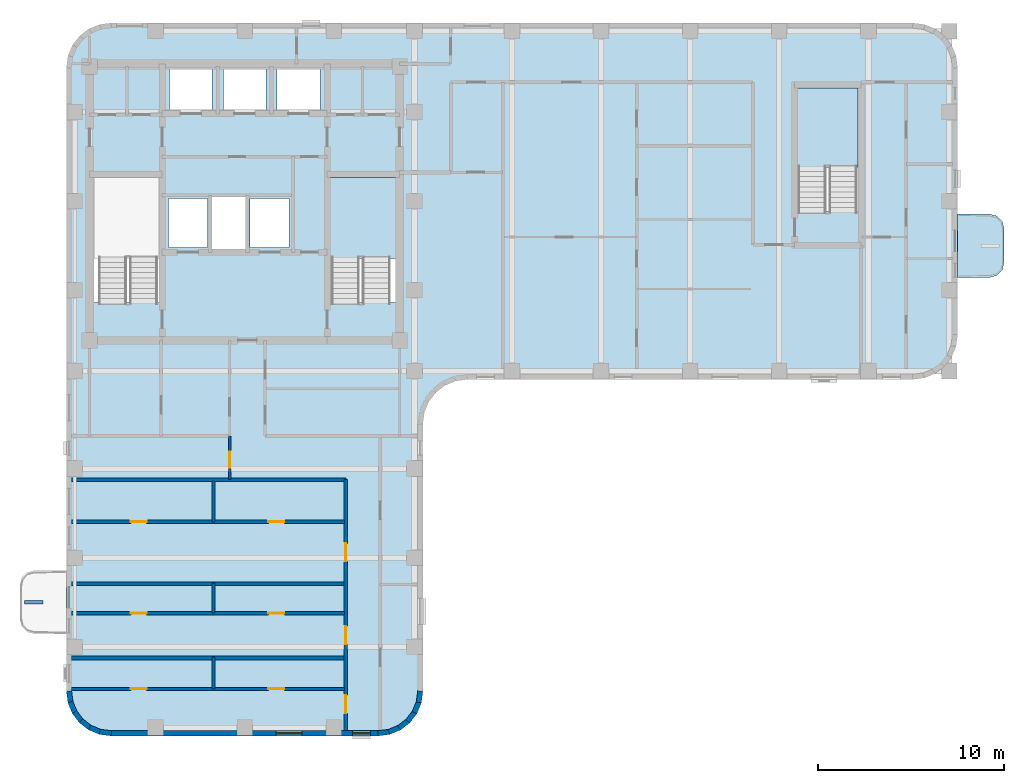
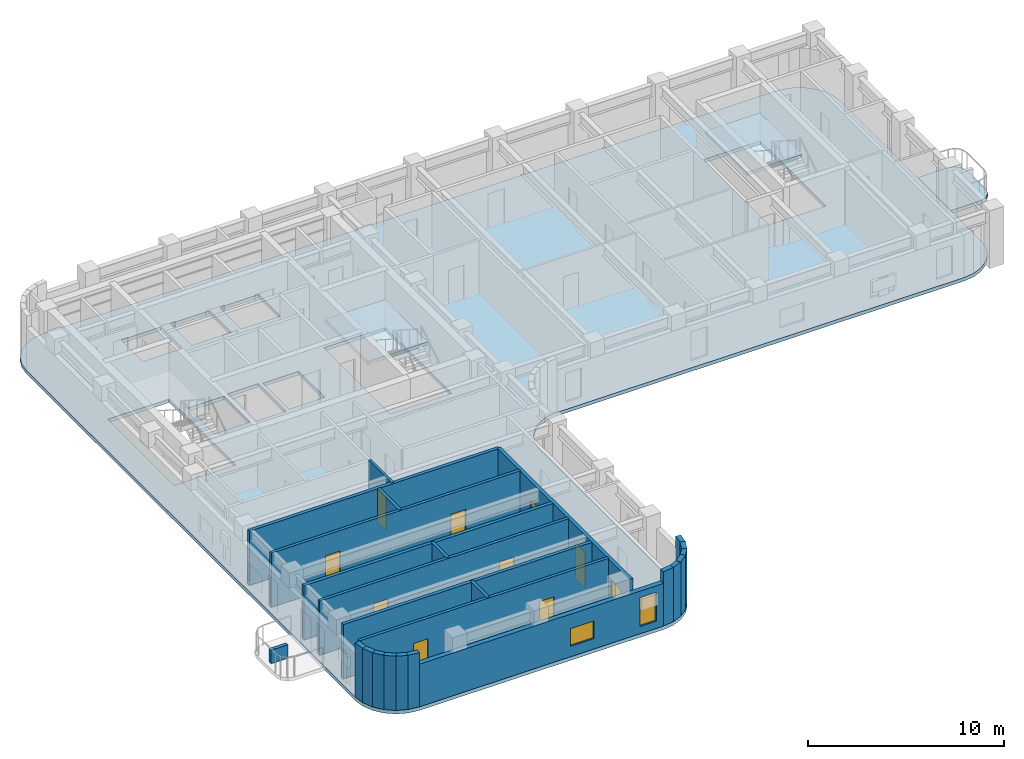
# One storey, part 2 of 10: 25 walls, 10 doors, 4 slabs, 2 windows, 12 openings, 2 elements without a shape of their own.
"""IFC4 building model written with IfcOpenShell, lengths in metres."""

from ifc_helpers import new_model, si_unit, direction, frame, frame_2d, origin, place, context, subcontext, project, spatial, polyline, rectangle, outline, extrude, material, layer, layer_set, type_object, element, fill, aggregate, save


model = new_model("IFC4")

# Units and contexts
model_context = context("Model", 3, precision=1e-05, world=origin(), true_north=direction((0.0, 1.0)))
body_context = subcontext(model_context, "Body", "Model", "MODEL_VIEW")
ifc_project = project(units=[si_unit("LENGTHUNIT", "METRE"), si_unit("AREAUNIT", "SQUARE_METRE"), si_unit("VOLUMEUNIT", "CUBIC_METRE"), si_unit("PLANEANGLEUNIT", "RADIAN"), si_unit("MASSUNIT", "GRAM", prefix="KILO")], contexts=[model_context])

# Site, building, storey
site_placement = place(None, origin())
site = spatial("IfcSite", under=ifc_project, at=site_placement, CompositionType="ELEMENT")
building_placement = place(site_placement, origin())
building = spatial("IfcBuilding", under=site, at=building_placement, Name="Orvandelia Arch Residences", CompositionType="ELEMENT")
storey_placement = place(building_placement, frame((0.0, 0.0, 232.60009765625)))
storey = spatial("IfcBuildingStorey", under=building, at=storey_placement, Name="L61", CompositionType="ELEMENT", Elevation=232.60009765625)

# Slab
ifc_material_1 = material(Name="Precast concrete C40/50", Category="concrete")
ifc_layer_1 = layer(ifc_material_1, 0.219970703125, Name="Precast concrete C40/50", Category="concrete")
ifc_layer_set_1 = layer_set([ifc_layer_1], Name="Precast concrete C40/50")
slab_type_1 = type_object("IfcSlabType", Name="SLB-BAL-220", PredefinedType="USERDEFINED", material=ifc_layer_set_1)
slab_1_placement = place(storey_placement, frame((0.0, 0.0, -0.22021484375)))
element("IfcSlab", 1, at=slab_1_placement, inside=storey, type_object=slab_type_1, Name="Tree Balcony Cantilever Slab BAL-L61-E1", ObjectType="BALCONY", PredefinedType="USERDEFINED", context=body_context, shape_type="SweptSolid", body=[
    extrude(outline(polyline([(52.800048828125, 37.699951171875), (52.800048828125, 34.300048828125), (54.550048828125, 34.300048828125), (54.925048828125, 34.400390625), (55.199462890625, 34.675048828125), (55.300048828125, 35.050048828125), (55.300048828125, 36.949951171875), (55.199462890625, 37.324951171875), (54.925048828125, 37.599609375), (54.550048828125, 37.699951171875), (52.800048828125, 37.699951171875)])), origin(), (0.0, 0.0, 1.0), 0.22021484375),
])

# Stair, slab
ifc_material_2 = material(Name="Concrete C40/50", Category="concrete")
stair_type = type_object("IfcStairType", Name="STAIR-RC-DOGLEG", PredefinedType="HALF_TURN_STAIR", material=ifc_material_2)
stair_1_placement = place(storey_placement, origin())
stair_1 = element("IfcStair", 2, at=stair_1_placement, inside=storey, type_object=stair_type, Name="L61 Protected Exit Stair ST-2", PredefinedType="HALF_TURN_STAIR")
ifc_layer_2 = layer(ifc_material_2, 0.219970703125, Name="Concrete C40/50", Category="concrete")
ifc_layer_set_2 = layer_set([ifc_layer_2], Name="Concrete C40/50")
slab_type_2 = type_object("IfcSlabType", Name="SLB-LANDING-220", PredefinedType="LANDING", material=ifc_layer_set_2)
slab_2_placement = place(storey_placement, frame((0.0, 0.0, 1.599853515625)))
slab_2 = element("IfcSlab", 3, at=slab_2_placement, type_object=slab_type_2, Name="ST-2 landing 1", PredefinedType="LANDING", context=body_context, shape_type="SweptSolid", body=[
    extrude(outline(polyline([(22.5400390625, 35.31005859375), (22.5400390625, 39.68994140625), (19.0, 39.68994140625), (19.0, 35.31005859375), (22.5400390625, 35.31005859375)])), origin(), (0.0, 0.0, 1.0), 0.199951171875),
])
aggregate(stair_1, [slab_2])

stair_2_placement = place(storey_placement, origin())
stair_2 = element("IfcStair", 4, at=stair_2_placement, inside=storey, type_object=stair_type, Name="L61 East Wing Exit Stair ST-3", PredefinedType="HALF_TURN_STAIR")
slab_3_placement = place(storey_placement, frame((0.0, 0.0, 1.599853515625)))
slab_3 = element("IfcSlab", 5, at=slab_3_placement, type_object=slab_type_2, Name="ST-3 landing 1", PredefinedType="LANDING", context=body_context, shape_type="SweptSolid", body=[
    extrude(outline(polyline([(47.43994140625, 40.2099609375), (47.43994140625, 44.5), (44.179931640625, 44.5), (44.179931640625, 40.2099609375), (47.43994140625, 40.2099609375)])), origin(), (0.0, 0.0, 1.0), 0.199951171875),
])
aggregate(stair_2, [slab_3])

# Slab
ifc_layer_3 = layer(ifc_material_2, 0.219970703125, Name="Concrete C40/50", Category="concrete")
ifc_layer_set_3 = layer_set([ifc_layer_3], Name="Concrete C40/50")
slab_type_3 = type_object("IfcSlabType", Name="SLB-TWR-220", PredefinedType="FLOOR", material=ifc_layer_set_3)
slab_4_placement = place(storey_placement, frame((0.0, 0.0, -0.22021484375)))
element("IfcSlab", 6, at=slab_4_placement, inside=storey, type_object=slab_type_3, Name="Structural Floor Slab L61-1", PredefinedType="FLOOR", context=body_context, shape_type="SweptSolid", body=[
    extrude(outline(polyline([(4.800048828125, 12.0), (4.8818359375, 11.37890625), (5.12158203125, 10.800048828125), (5.5029296875, 10.302978515625), (6.0, 9.92138671875), (6.578857421875, 9.681884765625), (7.199951171875, 9.60009765625), (21.60009765625, 9.60009765625), (22.22119140625, 9.681884765625), (22.800048828125, 9.92138671875), (23.297119140625, 10.302978515625), (23.678466796875, 10.800048828125), (23.918212890625, 11.37890625), (24.0, 12.0), (24.0, 26.39990234375), (24.081787109375, 27.021240234375), (24.321533203125, 27.60009765625), (24.702880859375, 28.09716796875), (25.199951171875, 28.478515625), (25.77880859375, 28.71826171875), (26.39990234375, 28.800048828125), (50.39990234375, 28.800048828125), (51.021240234375, 28.8818359375), (51.60009765625, 29.12158203125), (52.09716796875, 29.5029296875), (52.478515625, 30.0), (52.71826171875, 30.578857421875), (52.800048828125, 31.199951171875), (52.800048828125, 45.60009765625), (52.71826171875, 46.22119140625), (52.478515625, 46.800048828125), (52.09716796875, 47.297119140625), (51.60009765625, 47.678466796875), (51.021240234375, 47.918212890625), (50.39990234375, 48.0), (7.199951171875, 48.0), (6.578857421875, 47.918212890625), (6.0, 47.678466796875), (5.5029296875, 47.297119140625), (5.12158203125, 46.800048828125), (4.8818359375, 46.22119140625), (4.800048828125, 45.60009765625), (4.800048828125, 12.0)]), holes=[polyline([(6.219970703125, 32.949951171875), (9.840087890625, 32.949951171875), (9.840087890625, 39.72998046875), (6.219970703125, 39.72998046875), (6.219970703125, 32.949951171875)]), polyline([(18.9599609375, 32.949951171875), (22.580078125, 32.949951171875), (22.580078125, 39.72998046875), (18.9599609375, 39.72998046875), (18.9599609375, 32.949951171875)]), polyline([(44.139892578125, 37.85009765625), (47.47998046875, 37.85009765625), (47.47998046875, 44.5400390625), (44.139892578125, 44.5400390625), (44.139892578125, 37.85009765625)]), polyline([(12.639892578125, 35.81005859375), (14.4599609375, 35.81005859375), (14.4599609375, 38.639892578125), (12.639892578125, 38.639892578125), (12.639892578125, 35.81005859375)]), polyline([(10.300048828125, 35.89990234375), (12.39990234375, 35.89990234375), (12.39990234375, 38.550048828125), (10.300048828125, 38.550048828125), (10.300048828125, 35.89990234375)]), polyline([(14.699951171875, 35.89990234375), (16.800048828125, 35.89990234375), (16.800048828125, 38.550048828125), (14.699951171875, 38.550048828125), (14.699951171875, 35.89990234375)]), polyline([(10.35009765625, 43.300048828125), (12.64990234375, 43.300048828125), (12.64990234375, 45.5), (10.35009765625, 45.5), (10.35009765625, 43.300048828125)]), polyline([(13.25, 43.300048828125), (15.550048828125, 43.300048828125), (15.550048828125, 45.5), (13.25, 45.5), (13.25, 43.300048828125)]), polyline([(16.14990234375, 43.300048828125), (18.449951171875, 43.300048828125), (18.449951171875, 45.5), (16.14990234375, 45.5), (16.14990234375, 43.300048828125)])]), origin(), (0.0, 0.0, 1.0), 0.22021484375),
])

# Wall, openings, doors
ifc_material_3 = material(Name="Fire-Rated Corridor Partition")
ifc_layer_4 = layer(ifc_material_3, 0.199951171875, Name="Fire-Rated Corridor Partition")
ifc_layer_set_4 = layer_set([ifc_layer_4], Name="Fire-Rated Corridor Partition")
wall_type_1 = type_object("IfcWallType", Name="WL-CORR-200", PredefinedType="PARTITIONING", material=ifc_layer_set_4)
wall_1_placement = place(storey_placement, frame((19.85009765625, 9.8798828125, 0.0), z_axis=(0.0, 0.0, 1.0), x_axis=(0.0, 1.0, 0.0)))
wall_1 = element("IfcWall", 7, at=wall_1_placement, inside=storey, type_object=wall_type_1, Name="Interior Partition Wall WL-L61-WC-W", PredefinedType="PARTITIONING", context=body_context, shape_type="SweptSolid", body=[
    extrude(rectangle(XDim=13.52001953125, YDim=0.199951171875, at=frame_2d((6.760009765625, 0.0))), origin(), (0.0, 0.0, 1.0), 3.3798828125),
])
opening_1_placement = place(wall_1_placement, frame((0.93505859375, 0.0, 0.0)))
opening_1 = element("IfcOpeningElement", 8, at=opening_1_placement, cuts=wall_1, Name="Opening D1", PredefinedType="OPENING", context=body_context, shape_type="SweptSolid", body=[
    extrude(rectangle(XDim=0.97998046875, YDim=2.179931640625, at=frame_2d((0.489990234375, 1.08984375))), frame((0.0, 0.10986328125, 0.0), z_axis=(0.0, -1.0, 0.0), x_axis=(1.0, 0.0, 0.0)), (0.0, 0.0, 1.0), 0.219970703125),
])
opening_2_placement = place(wall_1_placement, frame((4.655029296875, 0.0, 0.0)))
opening_2 = element("IfcOpeningElement", 9, at=opening_2_placement, cuts=wall_1, Name="Opening D1", PredefinedType="OPENING", context=body_context, shape_type="SweptSolid", body=[
    extrude(rectangle(XDim=0.97998046875, YDim=2.179931640625, at=frame_2d((0.489990234375, 1.08984375))), frame((0.0, 0.10986328125, 0.0), z_axis=(0.0, -1.0, 0.0), x_axis=(1.0, 0.0, 0.0)), (0.0, 0.0, 1.0), 0.219970703125),
])
opening_3_placement = place(wall_1_placement, frame((9.116943359375, 0.0, 0.0)))
opening_3 = element("IfcOpeningElement", 10, at=opening_3_placement, cuts=wall_1, Name="Opening D1", PredefinedType="OPENING", context=body_context, shape_type="SweptSolid", body=[
    extrude(rectangle(XDim=0.97998046875, YDim=2.179931640625, at=frame_2d((0.489990234375, 1.08984375))), frame((0.0, 0.10986328125, 0.0), z_axis=(0.0, -1.0, 0.0), x_axis=(1.0, 0.0, 0.0)), (0.0, 0.0, 1.0), 0.219970703125),
])
ifc_material_4 = material(Name="Solid-Core Timber Acoustic Fire Door", Category="wood")
door_type_1 = type_object("IfcDoorType", Name="DR-ENT-980", OperationType="NOTDEFINED", PredefinedType="DOOR", material=ifc_material_4)
door_1_placement = place(opening_1_placement, origin())
door_1 = element("IfcDoor", 11, at=door_1_placement, inside=storey, type_object=door_type_1, Name="Unit L61-01 Entrance Door", OperationType="SINGLE_SWING_LEFT", OverallHeight=2.179931640625, OverallWidth=0.97998046875, PredefinedType="DOOR", context=body_context, shape_type="SweptSolid", body=[
    extrude(rectangle(XDim=0.97998046875, YDim=2.179931640625, at=frame_2d((0.489990234375, 1.08984375))), frame((0.0, 0.02490234375, 0.0), z_axis=(0.0, -1.0, 0.0), x_axis=(1.0, 0.0, 0.0)), (0.0, 0.0, 1.0), 0.050048828125),
])
fill(opening_1, door_1)
door_2_placement = place(opening_2_placement, origin())
door_2 = element("IfcDoor", 12, at=door_2_placement, inside=storey, type_object=door_type_1, Name="Unit L61-02 Entrance Door", OperationType="SINGLE_SWING_RIGHT", OverallHeight=2.179931640625, OverallWidth=0.97998046875, PredefinedType="DOOR", context=body_context, shape_type="SweptSolid", body=[
    extrude(rectangle(XDim=0.97998046875, YDim=2.179931640625, at=frame_2d((0.489990234375, 1.08984375))), frame((0.0, 0.02490234375, 0.0), z_axis=(0.0, -1.0, 0.0), x_axis=(1.0, 0.0, 0.0)), (0.0, 0.0, 1.0), 0.050048828125),
])
fill(opening_2, door_2)
door_3_placement = place(opening_3_placement, origin())
door_3 = element("IfcDoor", 13, at=door_3_placement, inside=storey, type_object=door_type_1, Name="Unit L61-03 Entrance Door", OperationType="SINGLE_SWING_LEFT", OverallHeight=2.179931640625, OverallWidth=0.97998046875, PredefinedType="DOOR", context=body_context, shape_type="SweptSolid", body=[
    extrude(rectangle(XDim=0.97998046875, YDim=2.179931640625, at=frame_2d((0.489990234375, 1.08984375))), frame((0.0, 0.02490234375, 0.0), z_axis=(0.0, -1.0, 0.0), x_axis=(1.0, 0.0, 0.0)), (0.0, 0.0, 1.0), 0.050048828125),
])
fill(opening_3, door_3)

# Walls
wall_2_placement = place(storey_placement, frame((5.080078125, 23.39990234375, 0.0), z_axis=(0.0, 0.0, 1.0), x_axis=(1.0, 0.0, 0.0)))
element("IfcWall", 14, at=wall_2_placement, inside=storey, type_object=wall_type_1, Name="Interior Partition Wall WL-L61-WLNK-S", PredefinedType="PARTITIONING", context=body_context, shape_type="SweptSolid", body=[
    extrude(rectangle(XDim=14.77001953125, YDim=0.199951171875, at=frame_2d((7.385009765625, 0.0))), origin(), (0.0, 0.0, 1.0), 3.3798828125),
])
ifc_layer_5 = layer(ifc_material_2, 0.199951171875, Name="Concrete C40/50", Category="concrete")
ifc_layer_set_5 = layer_set([ifc_layer_5], Name="Concrete C40/50")
wall_type_2 = type_object("IfcWallType", Name="WL-DEM-200", PredefinedType="SOLIDWALL", material=ifc_layer_set_5)
for number, where, z_axis, x_axis, name in (
    (15, (5.080078125, 13.800048828125, 0.0), (0.0, 0.0, 1.0), (1.0, 0.0, 0.0), "Interior Partition Wall WL-L61-DEM-WL-138"),
    (16, (5.080078125, 17.800048828125, 0.0), (0.0, 0.0, 1.0), (1.0, 0.0, 0.0), "Interior Partition Wall WL-L61-DEM-WL-178"),
):
    element("IfcWall", number, at=place(storey_placement, frame(where, z_axis=z_axis, x_axis=x_axis)), inside=storey, type_object=wall_type_2, Name=name, PredefinedType="SOLIDWALL", context=body_context, shape_type="SweptSolid", body=[
        extrude(rectangle(XDim=14.77001953125, YDim=0.199951171875, at=frame_2d((7.385009765625, 0.0))), origin(), (0.0, 0.0, 1.0), 3.3798828125),
    ])
ifc_layer_6 = layer(ifc_material_1, 0.280029296875, Name="Precast concrete C40/50", Category="concrete")
ifc_layer_set_6 = layer_set([ifc_layer_6], Name="Precast concrete C40/50")
wall_type_3 = type_object("IfcWallType", Name="WL-EXT-STONE-280", PredefinedType="STANDARD", material=ifc_layer_set_6)
for number, where, z_axis, x_axis, name in (
    (17, (23.861083984375, 12.018310546875, 0.0), (0.0, 0.0, 1.0), (-0.130555323746, -0.9914410257, 0.0), "Coral-Limestone Precast Facade Wall L61-029"),
    (18, (23.788818359375, 11.432373046875, 0.0), (0.0, 0.0, 1.0), (-0.382317370307, -0.924031075431, 0.0), "Coral-Limestone Precast Facade Wall L61-030"),
    (19, (23.5673828125, 10.88525390625, 0.0), (0.0, 0.0, 1.0), (-0.608693302629, -0.793405610854, 0.0), "Coral-Limestone Precast Facade Wall L61-031"),
    (20, (23.2119140625, 10.4140625, 0.0), (0.0, 0.0, 1.0), (-0.793405610854, -0.608693302629, 0.0), "Coral-Limestone Precast Facade Wall L61-032"),
    (21, (22.746337890625, 10.05078125, 0.0), (0.0, 0.0, 1.0), (-0.92389335771, -0.382650053678, 0.0), "Coral-Limestone Precast Facade Wall L61-033"),
    (22, (22.202880859375, 9.820556640625, 0.0), (0.0, 0.0, 1.0), (-0.9914410257, -0.130555323746, 0.0), "Coral-Limestone Precast Facade Wall L61-034"),
):
    element("IfcWall", number, at=place(storey_placement, frame(where, z_axis=z_axis, x_axis=x_axis)), inside=storey, type_object=wall_type_3, Name=name, PredefinedType="STANDARD", context=body_context, shape_type="SweptSolid", body=[
        extrude(rectangle(XDim=0.62646484375, YDim=0.280029296875, at=frame_2d((0.313232421875, 0.0))), origin(), (0.0, 0.0, 1.0), 3.3798828125),
    ])

# Wall, openings, windows
wall_3_placement = place(storey_placement, frame((21.60009765625, 9.739990234375, 0.0), z_axis=(0.0, 0.0, 1.0), x_axis=(-1.0, 0.0, 0.0)))
wall_3 = element("IfcWall", 23, at=wall_3_placement, inside=storey, type_object=wall_type_3, Name="Coral-Limestone Precast Facade Wall L61-035", PredefinedType="STANDARD", context=body_context, shape_type="SweptSolid", body=[
    extrude(rectangle(XDim=14.400146484375, YDim=0.280029296875, at=frame_2d((7.2001953125, 0.0))), origin(), (0.0, 0.0, 1.0), 2.659912109375),
])
opening_4_placement = place(wall_3_placement, frame((4.10009765625, 0.0, 0.64990234375)))
opening_4 = element("IfcOpeningElement", 24, at=opening_4_placement, cuts=wall_3, Name="Opening W10", PredefinedType="OPENING", context=body_context, shape_type="SweptSolid", body=[
    extrude(rectangle(XDim=1.39990234375, YDim=1.10009765625, at=frame_2d((0.699951171875, 0.550048828125))), frame((0.0, 0.14990234375, 0.0), z_axis=(0.0, -1.0, 0.0), x_axis=(1.0, 0.0, 0.0)), (0.0, 0.0, 1.0), 0.300048828125),
])
opening_5_placement = place(wall_3_placement, frame((0.429931640625, 0.0, 0.449951171875)))
opening_5 = element("IfcOpeningElement", 25, at=opening_5_placement, cuts=wall_3, Name="Opening W4", PredefinedType="OPENING", context=body_context, shape_type="SweptSolid", body=[
    extrude(rectangle(XDim=0.949951171875, YDim=1.800048828125, at=frame_2d((0.47509765625, 0.89990234375))), frame((0.0, 0.14990234375, 0.0), z_axis=(0.0, -1.0, 0.0), x_axis=(1.0, 0.0, 0.0)), (0.0, 0.0, 1.0), 0.300048828125),
])
ifc_material_5 = material(Name="Tempered Low-E Insulated Glazing", Category="glass")
window_type_1 = type_object("IfcWindowType", Name="WIN-CLR-1400x1100", PartitioningType="SINGLE_PANEL", PredefinedType="WINDOW", material=ifc_material_5)
window_1_placement = place(opening_4_placement, origin())
window_1 = element("IfcWindow", 26, at=window_1_placement, inside=storey, type_object=window_type_1, Name="Recessed Punched Window L61-014", OverallHeight=1.10009765625, OverallWidth=1.39990234375, PartitioningType="SINGLE_PANEL", PredefinedType="WINDOW", context=body_context, shape_type="SweptSolid", body=[
    extrude(rectangle(XDim=1.39990234375, YDim=1.10009765625, at=frame_2d((0.699951171875, 0.550048828125))), frame((0.0, 0.030029296875, 0.0), z_axis=(0.0, -1.0, 0.0), x_axis=(1.0, 0.0, 0.0)), (0.0, 0.0, 1.0), 0.06005859375),
])
fill(opening_4, window_1)
window_type_2 = type_object("IfcWindowType", Name="WIN-RES-0950x1800", PartitioningType="SINGLE_PANEL", PredefinedType="WINDOW", material=ifc_material_5)
window_2_placement = place(opening_5_placement, origin())
window_2 = element("IfcWindow", 27, at=window_2_placement, inside=storey, type_object=window_type_2, Name="Recessed Punched Window L61-015", OverallHeight=1.800048828125, OverallWidth=0.949951171875, PartitioningType="SINGLE_PANEL", PredefinedType="WINDOW", context=body_context, shape_type="SweptSolid", body=[
    extrude(rectangle(XDim=0.949951171875, YDim=1.800048828125, at=frame_2d((0.47509765625, 0.89990234375))), frame((0.0, 0.030029296875, 0.0), z_axis=(0.0, -1.0, 0.0), x_axis=(1.0, 0.0, 0.0)), (0.0, 0.0, 1.0), 0.06005859375),
])
fill(opening_5, window_2)

# Walls
wall_4_placement = place(storey_placement, frame((7.21826171875, 9.73876953125, 0.0), z_axis=(0.0, 0.0, 1.0), x_axis=(-0.9914410257, 0.130555323746, 0.0)))
element("IfcWall", 28, at=wall_4_placement, inside=storey, type_object=wall_type_3, Name="Coral-Limestone Precast Facade Wall L61-036", PredefinedType="STANDARD", context=body_context, shape_type="SweptSolid", body=[
    extrude(rectangle(XDim=0.62646484375, YDim=0.280029296875, at=frame_2d((0.313232421875, 0.0))), origin(), (0.0, 0.0, 1.0), 3.3798828125),
])
wall_5_placement = place(storey_placement, frame((6.63232421875, 9.81103515625, 0.0), z_axis=(0.0, 0.0, 1.0), x_axis=(-0.923836271867, 0.382787856107, 0.0)))
element("IfcWall", 29, at=wall_5_placement, inside=storey, type_object=wall_type_3, Name="Coral-Limestone Precast Facade Wall L61-037", PredefinedType="STANDARD", context=body_context, shape_type="SweptSolid", body=[
    extrude(rectangle(XDim=0.626220703125, YDim=0.280029296875, at=frame_2d((0.31298828125, 0.0))), origin(), (0.0, 0.0, 1.0), 3.3798828125),
])
for number, where, z_axis, x_axis, name in (
    (30, (6.085205078125, 10.03271484375, 0.0), (0.0, 0.0, 1.0), (-0.793405610854, 0.608693302629, 0.0), "Coral-Limestone Precast Facade Wall L61-038"),
    (31, (5.614013671875, 10.38818359375, 0.0), (0.0, 0.0, 1.0), (-0.608693302629, 0.793405610854, 0.0), "Coral-Limestone Precast Facade Wall L61-039"),
    (32, (5.250732421875, 10.853515625, 0.0), (0.0, 0.0, 1.0), (-0.382650053678, 0.92389335771, 0.0), "Coral-Limestone Precast Facade Wall L61-040"),
    (33, (5.0205078125, 11.397216796875, 0.0), (0.0, 0.0, 1.0), (-0.130555323746, 0.9914410257, 0.0), "Coral-Limestone Precast Facade Wall L61-041"),
):
    element("IfcWall", number, at=place(storey_placement, frame(where, z_axis=z_axis, x_axis=x_axis)), inside=storey, type_object=wall_type_3, Name=name, PredefinedType="STANDARD", context=body_context, shape_type="SweptSolid", body=[
        extrude(rectangle(XDim=0.62646484375, YDim=0.280029296875, at=frame_2d((0.313232421875, 0.0))), origin(), (0.0, 0.0, 1.0), 3.3798828125),
    ])

# Wall, opening, door
ifc_material_6 = material(Name="Acoustic Gypsum Stud Partition")
ifc_layer_7 = layer(ifc_material_6, 0.14990234375, Name="Acoustic Gypsum Stud Partition")
ifc_layer_set_7 = layer_set([ifc_layer_7], Name="Acoustic Gypsum Stud Partition")
wall_type_4 = type_object("IfcWallType", Name="WL-PART-150", PredefinedType="PARTITIONING", material=ifc_layer_set_7)
wall_6_placement = place(storey_placement, frame((13.60009765625, 23.39990234375, 0.0), z_axis=(0.0, 0.0, 1.0), x_axis=(0.0, 1.0, 0.0)))
wall_6 = element("IfcWall", 34, at=wall_6_placement, inside=storey, type_object=wall_type_4, Name="Interior Partition Wall WL-L61-WLNK-W", PredefinedType="PARTITIONING", context=body_context, shape_type="SweptSolid", body=[
    extrude(rectangle(XDim=2.35009765625, YDim=0.14990234375, at=frame_2d((1.175048828125, 0.0))), origin(), (0.0, 0.0, 1.0), 3.3798828125),
])
opening_6_placement = place(wall_6_placement, frame((0.64990234375, 0.0, 0.0)))
opening_6 = element("IfcOpeningElement", 35, at=opening_6_placement, cuts=wall_6, Name="Opening D4", PredefinedType="OPENING", context=body_context, shape_type="SweptSolid", body=[
    extrude(rectangle(XDim=0.860107421875, YDim=2.10009765625, at=frame_2d((0.43017578125, 1.050048828125))), frame((0.0, 0.0849609375, 0.0), z_axis=(0.0, -1.0, 0.0), x_axis=(1.0, 0.0, 0.0)), (0.0, 0.0, 1.0), 0.169921875),
])
ifc_material_7 = material(Name="Moisture-Sealed Timber Bathroom Door", Category="wood")
door_type_2 = type_object("IfcDoorType", Name="DR-WET-900", OperationType="NOTDEFINED", PredefinedType="DOOR", material=ifc_material_7)
door_4_placement = place(opening_6_placement, origin())
door_4 = element("IfcDoor", 36, at=door_4_placement, inside=storey, type_object=door_type_2, Name="DR-L61-WLNKST", OperationType="SINGLE_SWING_LEFT", OverallHeight=2.10009765625, OverallWidth=0.860107421875, PredefinedType="DOOR", context=body_context, shape_type="SweptSolid", body=[
    extrude(rectangle(XDim=0.860107421875, YDim=2.10009765625, at=frame_2d((0.43017578125, 1.050048828125))), frame((0.0, 0.02490234375, 0.0), z_axis=(0.0, -1.0, 0.0), x_axis=(1.0, 0.0, 0.0)), (0.0, 0.0, 1.0), 0.050048828125),
])
fill(opening_6, door_4)

# Wall
ifc_layer_8 = layer(ifc_material_1, 0.199951171875, Name="Precast concrete C40/50", Category="concrete")
ifc_layer_set_8 = layer_set([ifc_layer_8], Name="Precast concrete C40/50")
wall_type_5 = type_object("IfcWallType", Name="WL-PLANTER-200", PredefinedType="MOVABLE", material=ifc_layer_set_8)
wall_7_placement = place(storey_placement, frame((2.550048828125, 16.800048828125, 0.0), z_axis=(0.0, 0.0, 1.0), x_axis=(1.0, 0.0, 0.0)))
element("IfcWall", 37, at=wall_7_placement, inside=storey, type_object=wall_type_5, Name="Balcony Precast Tree Planter BAL-L61-W1", PredefinedType="MOVABLE", context=body_context, shape_type="SweptSolid", body=[
    extrude(rectangle(XDim=1.0, YDim=0.199951171875, at=frame_2d((0.5, 0.0))), origin(), (0.0, 0.0, 1.0), 0.849853515625),
])

# Wall, openings, doors
ifc_material_8 = material(Name="Moisture-Resistant Plumbing Wall")
ifc_layer_9 = layer(ifc_material_8, 0.179931640625, Name="Moisture-Resistant Plumbing Wall")
ifc_layer_set_9 = layer_set([ifc_layer_9], Name="Moisture-Resistant Plumbing Wall")
wall_type_6 = type_object("IfcWallType", Name="WL-WET-180", PredefinedType="PLUMBINGWALL", material=ifc_layer_set_9)
wall_8_placement = place(storey_placement, frame((5.080078125, 12.1298828125, 0.0), z_axis=(0.0, 0.0, 1.0), x_axis=(1.0, 0.0, 0.0)))
wall_8 = element("IfcWall", 38, at=wall_8_placement, inside=storey, type_object=wall_type_6, Name="Interior Partition Wall WL-L61-U01-HZ", PredefinedType="PLUMBINGWALL", context=body_context, shape_type="SweptSolid", body=[
    extrude(rectangle(XDim=14.7099609375, YDim=0.179931640625, at=frame_2d((7.35498046875, 0.0))), origin(), (0.0, 0.0, 1.0), 3.3798828125),
])
opening_7_placement = place(wall_8_placement, frame((3.18505859375, 0.0, 0.0)))
opening_7 = element("IfcOpeningElement", 39, at=opening_7_placement, cuts=wall_8, Name="Opening D4", PredefinedType="OPENING", context=body_context, shape_type="SweptSolid", body=[
    extrude(rectangle(XDim=0.860107421875, YDim=2.10009765625, at=frame_2d((0.43017578125, 1.050048828125))), frame((0.0, 0.10009765625, 0.0), z_axis=(0.0, -1.0, 0.0), x_axis=(1.0, 0.0, 0.0)), (0.0, 0.0, 1.0), 0.199951171875),
])
opening_8_placement = place(wall_8_placement, frame((10.60009765625, 0.0, 0.0)))
opening_8 = element("IfcOpeningElement", 40, at=opening_8_placement, cuts=wall_8, Name="Opening D4", PredefinedType="OPENING", context=body_context, shape_type="SweptSolid", body=[
    extrude(rectangle(XDim=0.860107421875, YDim=2.10009765625, at=frame_2d((0.43017578125, 1.050048828125))), frame((0.0, 0.10009765625, 0.0), z_axis=(0.0, -1.0, 0.0), x_axis=(1.0, 0.0, 0.0)), (0.0, 0.0, 1.0), 0.199951171875),
])
door_5_placement = place(opening_7_placement, origin())
door_5 = element("IfcDoor", 41, at=door_5_placement, inside=storey, type_object=door_type_2, Name="DR-L61-U01-KIT", OperationType="SINGLE_SWING_LEFT", OverallHeight=2.10009765625, OverallWidth=0.860107421875, PredefinedType="DOOR", context=body_context, shape_type="SweptSolid", body=[
    extrude(rectangle(XDim=0.860107421875, YDim=2.10009765625, at=frame_2d((0.43017578125, 1.050048828125))), frame((0.0, 0.02490234375, 0.0), z_axis=(0.0, -1.0, 0.0), x_axis=(1.0, 0.0, 0.0)), (0.0, 0.0, 1.0), 0.050048828125),
])
fill(opening_7, door_5)
door_6_placement = place(opening_8_placement, origin())
door_6 = element("IfcDoor", 42, at=door_6_placement, inside=storey, type_object=door_type_2, Name="DR-L61-U01-BTH", OperationType="SINGLE_SWING_RIGHT", OverallHeight=2.10009765625, OverallWidth=0.860107421875, PredefinedType="DOOR", context=body_context, shape_type="SweptSolid", body=[
    extrude(rectangle(XDim=0.860107421875, YDim=2.10009765625, at=frame_2d((0.43017578125, 1.050048828125))), frame((0.0, 0.02490234375, 0.0), z_axis=(0.0, -1.0, 0.0), x_axis=(1.0, 0.0, 0.0)), (0.0, 0.0, 1.0), 0.050048828125),
])
fill(opening_8, door_6)

# Wall
wall_9_placement = place(storey_placement, frame((12.719970703125, 12.1298828125, 0.0), z_axis=(0.0, 0.0, 1.0), x_axis=(0.0, 1.0, 0.0)))
element("IfcWall", 43, at=wall_9_placement, inside=storey, type_object=wall_type_6, Name="Interior Partition Wall WL-L61-U01-V1", PredefinedType="PLUMBINGWALL", context=body_context, shape_type="SweptSolid", body=[
    extrude(rectangle(XDim=1.710205078125, YDim=0.179931640625, at=frame_2d((0.85498046875, 0.0))), origin(), (0.0, 0.0, 1.0), 3.3798828125),
])

# Wall, openings, doors
wall_10_placement = place(storey_placement, frame((5.080078125, 16.2099609375, 0.0), z_axis=(0.0, 0.0, 1.0), x_axis=(1.0, 0.0, 0.0)))
wall_10 = element("IfcWall", 44, at=wall_10_placement, inside=storey, type_object=wall_type_6, Name="Interior Partition Wall WL-L61-U02-HZ", PredefinedType="PLUMBINGWALL", context=body_context, shape_type="SweptSolid", body=[
    extrude(rectangle(XDim=14.7099609375, YDim=0.179931640625, at=frame_2d((7.35498046875, 0.0))), origin(), (0.0, 0.0, 1.0), 3.3798828125),
])
opening_9_placement = place(wall_10_placement, frame((3.18505859375, 0.0, 0.0)))
opening_9 = element("IfcOpeningElement", 45, at=opening_9_placement, cuts=wall_10, Name="Opening D4", PredefinedType="OPENING", context=body_context, shape_type="SweptSolid", body=[
    extrude(rectangle(XDim=0.860107421875, YDim=2.10009765625, at=frame_2d((0.43017578125, 1.050048828125))), frame((0.0, 0.10009765625, 0.0), z_axis=(0.0, -1.0, 0.0), x_axis=(1.0, 0.0, 0.0)), (0.0, 0.0, 1.0), 0.199951171875),
])
opening_10_placement = place(wall_10_placement, frame((10.60009765625, 0.0, 0.0)))
opening_10 = element("IfcOpeningElement", 46, at=opening_10_placement, cuts=wall_10, Name="Opening D4", PredefinedType="OPENING", context=body_context, shape_type="SweptSolid", body=[
    extrude(rectangle(XDim=0.860107421875, YDim=2.10009765625, at=frame_2d((0.43017578125, 1.050048828125))), frame((0.0, 0.10009765625, 0.0), z_axis=(0.0, -1.0, 0.0), x_axis=(1.0, 0.0, 0.0)), (0.0, 0.0, 1.0), 0.199951171875),
])
door_7_placement = place(opening_9_placement, origin())
door_7 = element("IfcDoor", 47, at=door_7_placement, inside=storey, type_object=door_type_2, Name="DR-L61-U02-KIT", OperationType="SINGLE_SWING_RIGHT", OverallHeight=2.10009765625, OverallWidth=0.860107421875, PredefinedType="DOOR", context=body_context, shape_type="SweptSolid", body=[
    extrude(rectangle(XDim=0.860107421875, YDim=2.10009765625, at=frame_2d((0.43017578125, 1.050048828125))), frame((0.0, 0.02490234375, 0.0), z_axis=(0.0, -1.0, 0.0), x_axis=(1.0, 0.0, 0.0)), (0.0, 0.0, 1.0), 0.050048828125),
])
fill(opening_9, door_7)
door_8_placement = place(opening_10_placement, origin())
door_8 = element("IfcDoor", 48, at=door_8_placement, inside=storey, type_object=door_type_2, Name="DR-L61-U02-BTH", OperationType="SINGLE_SWING_LEFT", OverallHeight=2.10009765625, OverallWidth=0.860107421875, PredefinedType="DOOR", context=body_context, shape_type="SweptSolid", body=[
    extrude(rectangle(XDim=0.860107421875, YDim=2.10009765625, at=frame_2d((0.43017578125, 1.050048828125))), frame((0.0, 0.02490234375, 0.0), z_axis=(0.0, -1.0, 0.0), x_axis=(1.0, 0.0, 0.0)), (0.0, 0.0, 1.0), 0.050048828125),
])
fill(opening_10, door_8)

# Wall
wall_11_placement = place(storey_placement, frame((12.719970703125, 16.2099609375, 0.0), z_axis=(0.0, 0.0, 1.0), x_axis=(0.0, 1.0, 0.0)))
element("IfcWall", 49, at=wall_11_placement, inside=storey, type_object=wall_type_6, Name="Interior Partition Wall WL-L61-U02-V1", PredefinedType="PLUMBINGWALL", context=body_context, shape_type="SweptSolid", body=[
    extrude(rectangle(XDim=1.630126953125, YDim=0.179931640625, at=frame_2d((0.81494140625, 0.0))), origin(), (0.0, 0.0, 1.0), 3.3798828125),
])

# Wall, openings, doors
wall_12_placement = place(storey_placement, frame((5.080078125, 21.134033203125, 0.0), z_axis=(0.0, 0.0, 1.0), x_axis=(1.0, 0.0, 0.0)))
wall_12 = element("IfcWall", 50, at=wall_12_placement, inside=storey, type_object=wall_type_6, Name="Interior Partition Wall WL-L61-U03-HZ", PredefinedType="PLUMBINGWALL", context=body_context, shape_type="SweptSolid", body=[
    extrude(rectangle(XDim=14.7099609375, YDim=0.179931640625, at=frame_2d((7.35498046875, 0.0))), origin(), (0.0, 0.0, 1.0), 3.3798828125),
])
opening_11_placement = place(wall_12_placement, frame((3.18505859375, 0.0, 0.0)))
opening_11 = element("IfcOpeningElement", 51, at=opening_11_placement, cuts=wall_12, Name="Opening D4", PredefinedType="OPENING", context=body_context, shape_type="SweptSolid", body=[
    extrude(rectangle(XDim=0.860107421875, YDim=2.10009765625, at=frame_2d((0.43017578125, 1.050048828125))), frame((0.0, 0.10009765625, 0.0), z_axis=(0.0, -1.0, 0.0), x_axis=(1.0, 0.0, 0.0)), (0.0, 0.0, 1.0), 0.199951171875),
])
opening_12_placement = place(wall_12_placement, frame((10.60009765625, 0.0, 0.0)))
opening_12 = element("IfcOpeningElement", 52, at=opening_12_placement, cuts=wall_12, Name="Opening D4", PredefinedType="OPENING", context=body_context, shape_type="SweptSolid", body=[
    extrude(rectangle(XDim=0.860107421875, YDim=2.10009765625, at=frame_2d((0.43017578125, 1.050048828125))), frame((0.0, 0.10009765625, 0.0), z_axis=(0.0, -1.0, 0.0), x_axis=(1.0, 0.0, 0.0)), (0.0, 0.0, 1.0), 0.199951171875),
])
door_9_placement = place(opening_11_placement, origin())
door_9 = element("IfcDoor", 53, at=door_9_placement, inside=storey, type_object=door_type_2, Name="DR-L61-U03-KIT", OperationType="SINGLE_SWING_LEFT", OverallHeight=2.10009765625, OverallWidth=0.860107421875, PredefinedType="DOOR", context=body_context, shape_type="SweptSolid", body=[
    extrude(rectangle(XDim=0.860107421875, YDim=2.10009765625, at=frame_2d((0.43017578125, 1.050048828125))), frame((0.0, 0.02490234375, 0.0), z_axis=(0.0, -1.0, 0.0), x_axis=(1.0, 0.0, 0.0)), (0.0, 0.0, 1.0), 0.050048828125),
])
fill(opening_11, door_9)
door_10_placement = place(opening_12_placement, origin())
door_10 = element("IfcDoor", 54, at=door_10_placement, inside=storey, type_object=door_type_2, Name="DR-L61-U03-BTH", OperationType="SINGLE_SWING_RIGHT", OverallHeight=2.10009765625, OverallWidth=0.860107421875, PredefinedType="DOOR", context=body_context, shape_type="SweptSolid", body=[
    extrude(rectangle(XDim=0.860107421875, YDim=2.10009765625, at=frame_2d((0.43017578125, 1.050048828125))), frame((0.0, 0.02490234375, 0.0), z_axis=(0.0, -1.0, 0.0), x_axis=(1.0, 0.0, 0.0)), (0.0, 0.0, 1.0), 0.050048828125),
])
fill(opening_12, door_10)

# Wall
wall_13_placement = place(storey_placement, frame((12.719970703125, 21.134033203125, 0.0), z_axis=(0.0, 0.0, 1.0), x_axis=(0.0, 1.0, 0.0)))
element("IfcWall", 55, at=wall_13_placement, inside=storey, type_object=wall_type_6, Name="Interior Partition Wall WL-L61-U03-V1", PredefinedType="PLUMBINGWALL", context=body_context, shape_type="SweptSolid", body=[
    extrude(rectangle(XDim=2.2060546875, YDim=0.179931640625, at=frame_2d((1.10302734375, 0.0))), origin(), (0.0, 0.0, 1.0), 3.3798828125),
])

save(model, "model.ifc")
